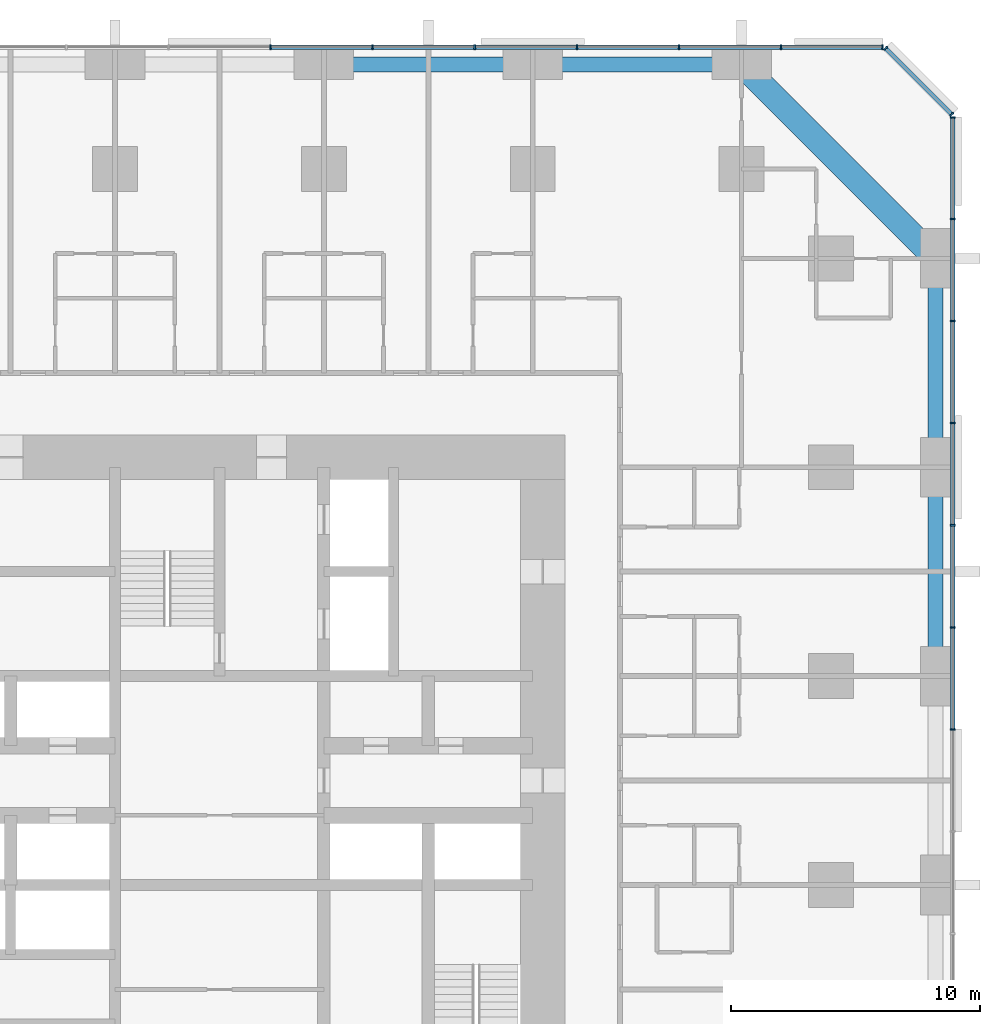
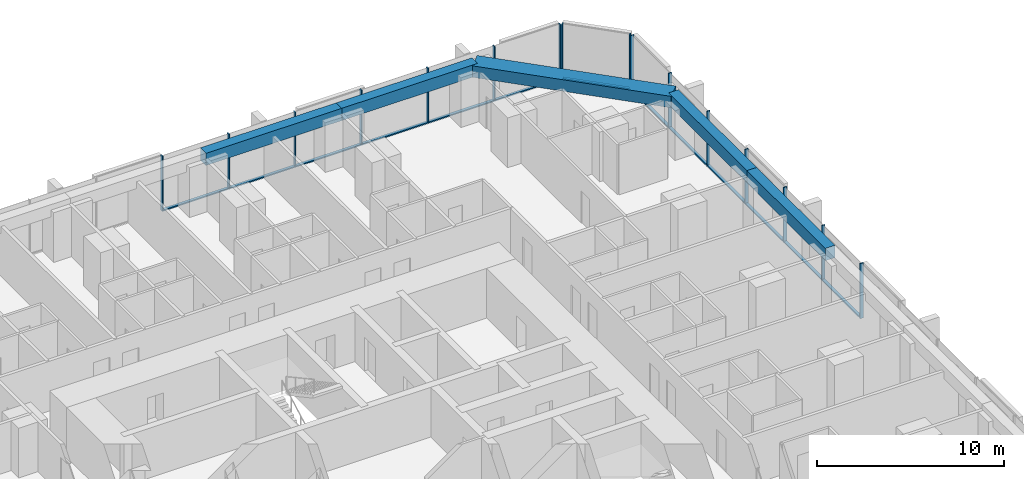
# One storey, part 8 of 18: 29 members, 5 beams, 3 elements without a shape of their own.
"""IFC4 building model written with IfcOpenShell, lengths in metres."""

from ifc_helpers import new_model, si_unit, direction, frame, origin, origin_2d, place, context, subcontext, project, spatial, rectangle, extrude, material, material_profile, profile_set, type_object, element, aggregate, save


model = new_model("IFC4")

# Units and contexts
model_context = context("Model", 3, precision=1e-05, world=origin(), true_north=direction((0.0, 1.0)))
body_context = subcontext(model_context, "Body", "Model", "MODEL_VIEW")
ifc_project = project(units=[si_unit("LENGTHUNIT", "METRE"), si_unit("AREAUNIT", "SQUARE_METRE"), si_unit("VOLUMEUNIT", "CUBIC_METRE"), si_unit("PLANEANGLEUNIT", "RADIAN"), si_unit("MASSUNIT", "GRAM", prefix="KILO")], contexts=[model_context])

# Site, building, storey
site_placement = place(None, origin())
site = spatial("IfcSite", under=ifc_project, at=site_placement, CompositionType="ELEMENT")
building_placement = place(site_placement, origin())
building = spatial("IfcBuilding", under=site, at=building_placement, Name="Dunama Terrace Hotel", CompositionType="ELEMENT")
storey_placement = place(building_placement, frame((0.0, 0.0, 30.60009765625)))
storey = spatial("IfcBuildingStorey", under=building, at=storey_placement, Name="L06", CompositionType="ELEMENT", Elevation=30.60009765625)

# Curtain wall, members
ifc_material_1 = material(Name="Aluminium curtain wall system", Category="aluminium")
curtain_wall_type = type_object("IfcCurtainWallType", Name="Unitised fritted glass wall CW-A", PredefinedType="NOTDEFINED", material=ifc_material_1)
curtain_wall_1_placement = place(storey_placement, origin())
curtain_wall_1 = element("IfcCurtainWall", 1, at=curtain_wall_1_placement, inside=storey, type_object=curtain_wall_type, Name="Unitised fritted glass wall CW-A L06", PredefinedType="NOTDEFINED")
ifc_material_2 = material(Name="Aluminium mullion", Category="aluminium")
ifc_material_profile_1 = material_profile(ifc_material_2, rectangle(XDim=0.06494140625, YDim=0.199951171875, at=origin_2d()), Name="CWA MULLION 65X200")
ifc_profile_set_1 = profile_set([ifc_material_profile_1], Name="Aluminium mullion")
member_type_1 = type_object("IfcMemberType", Name="CWA mullion 65x200", PredefinedType="MULLION", material=ifc_profile_set_1)
member_1_placement = place(storey_placement, frame((58.89990234375, 31.4541015625, 0.0), z_axis=(0.0, 0.0, 1.0), x_axis=(0.0, 1.0, 0.0)))
member_1 = element("IfcMember", 2, at=member_1_placement, type_object=member_type_1, Name="CWA mullion", PredefinedType="MULLION", context=body_context, shape_type="SweptSolid", body=[
    extrude(rectangle(XDim=0.06494140625, YDim=0.199951171875, at=origin_2d()), origin(), (0.0, 0.0, 1.0), 3.599853515625),
])
member_2_placement = place(storey_placement, frame((58.89990234375, 35.56201171875, 0.0), z_axis=(0.0, 0.0, 1.0), x_axis=(0.0, 1.0, 0.0)))
member_2 = element("IfcMember", 3, at=member_2_placement, type_object=member_type_1, Name="CWA mullion", PredefinedType="MULLION", context=body_context, shape_type="SweptSolid", body=[
    extrude(rectangle(XDim=0.06494140625, YDim=0.199951171875, at=origin_2d()), origin(), (0.0, 0.0, 1.0), 3.599853515625),
])
member_3_placement = place(storey_placement, frame((58.89990234375, 39.6689453125, 0.0), z_axis=(0.0, 0.0, 1.0), x_axis=(0.0, 1.0, 0.0)))
member_3 = element("IfcMember", 4, at=member_3_placement, type_object=member_type_1, Name="CWA mullion", PredefinedType="MULLION", context=body_context, shape_type="SweptSolid", body=[
    extrude(rectangle(XDim=0.06494140625, YDim=0.199951171875, at=origin_2d()), origin(), (0.0, 0.0, 1.0), 3.599853515625),
])
member_4_placement = place(storey_placement, frame((58.89990234375, 43.777099609375, 0.0), z_axis=(0.0, 0.0, 1.0), x_axis=(0.0, 1.0, 0.0)))
member_4 = element("IfcMember", 5, at=member_4_placement, type_object=member_type_1, Name="CWA mullion", PredefinedType="MULLION", context=body_context, shape_type="SweptSolid", body=[
    extrude(rectangle(XDim=0.06494140625, YDim=0.199951171875, at=origin_2d()), origin(), (0.0, 0.0, 1.0), 3.599853515625),
])
member_5_placement = place(storey_placement, frame((58.89990234375, 47.885009765625, 0.0), z_axis=(0.0, 0.0, 1.0), x_axis=(0.0, 1.0, 0.0)))
member_5 = element("IfcMember", 6, at=member_5_placement, type_object=member_type_1, Name="CWA mullion", PredefinedType="MULLION", context=body_context, shape_type="SweptSolid", body=[
    extrude(rectangle(XDim=0.06494140625, YDim=0.199951171875, at=origin_2d()), origin(), (0.0, 0.0, 1.0), 3.599853515625),
])
member_6_placement = place(storey_placement, frame((58.89990234375, 51.991943359375, 0.0), z_axis=(0.0, 0.0, 1.0), x_axis=(0.0, 1.0, 0.0)))
member_6 = element("IfcMember", 7, at=member_6_placement, type_object=member_type_1, Name="CWA mullion", PredefinedType="MULLION", context=body_context, shape_type="SweptSolid", body=[
    extrude(rectangle(XDim=0.06494140625, YDim=0.199951171875, at=origin_2d()), origin(), (0.0, 0.0, 1.0), 3.599853515625),
])
member_7_placement = place(storey_placement, frame((58.89990234375, 56.06689453125, 0.0), z_axis=(0.0, 0.0, 1.0), x_axis=(0.0, 1.0, 0.0)))
member_7 = element("IfcMember", 8, at=member_7_placement, type_object=member_type_1, Name="CWA mullion", PredefinedType="MULLION", context=body_context, shape_type="SweptSolid", body=[
    extrude(rectangle(XDim=0.06494140625, YDim=0.199951171875, at=origin_2d()), origin(), (0.0, 0.0, 1.0), 3.599853515625),
])

curtain_wall_2_placement = place(storey_placement, origin())
curtain_wall_2 = element("IfcCurtainWall", 9, at=curtain_wall_2_placement, inside=storey, type_object=curtain_wall_type, Name="Unitised fritted glass wall CW-A L06", PredefinedType="NOTDEFINED")
member_8_placement = place(storey_placement, frame((58.847900390625, 56.194091796875, 0.0), z_axis=(0.0, 0.0, 1.0), x_axis=(-0.707106781187, 0.707106781187, 0.0)))
member_8 = element("IfcMember", 10, at=member_8_placement, type_object=member_type_1, Name="CWA mullion", PredefinedType="MULLION", context=body_context, shape_type="SweptSolid", body=[
    extrude(rectangle(XDim=0.06494140625, YDim=0.199951171875, at=origin_2d()), origin(), (0.0, 0.0, 1.0), 3.599853515625),
])
member_9_placement = place(storey_placement, frame((56.194091796875, 58.847900390625, 0.0), z_axis=(0.0, 0.0, 1.0), x_axis=(-0.707106781187, 0.707106781187, 0.0)))
member_9 = element("IfcMember", 11, at=member_9_placement, type_object=member_type_1, Name="CWA mullion", PredefinedType="MULLION", context=body_context, shape_type="SweptSolid", body=[
    extrude(rectangle(XDim=0.06494140625, YDim=0.199951171875, at=origin_2d()), origin(), (0.0, 0.0, 1.0), 3.599853515625),
])

curtain_wall_3_placement = place(storey_placement, origin())
curtain_wall_3 = element("IfcCurtainWall", 12, at=curtain_wall_3_placement, inside=storey, type_object=curtain_wall_type, Name="Unitised fritted glass wall CW-A L06", PredefinedType="NOTDEFINED")
member_10_placement = place(storey_placement, frame((56.06689453125, 58.89990234375, 0.0), z_axis=(0.0, 0.0, 1.0), x_axis=(-1.0, 0.0, 0.0)))
member_10 = element("IfcMember", 13, at=member_10_placement, type_object=member_type_1, Name="CWA mullion", PredefinedType="MULLION", context=body_context, shape_type="SweptSolid", body=[
    extrude(rectangle(XDim=0.06494140625, YDim=0.199951171875, at=origin_2d()), origin(), (0.0, 0.0, 1.0), 3.599853515625),
])
member_11_placement = place(storey_placement, frame((51.991943359375, 58.89990234375, 0.0), z_axis=(0.0, 0.0, 1.0), x_axis=(-1.0, 0.0, 0.0)))
member_11 = element("IfcMember", 14, at=member_11_placement, type_object=member_type_1, Name="CWA mullion", PredefinedType="MULLION", context=body_context, shape_type="SweptSolid", body=[
    extrude(rectangle(XDim=0.06494140625, YDim=0.199951171875, at=origin_2d()), origin(), (0.0, 0.0, 1.0), 3.599853515625),
])
member_12_placement = place(storey_placement, frame((47.885009765625, 58.89990234375, 0.0), z_axis=(0.0, 0.0, 1.0), x_axis=(-1.0, 0.0, 0.0)))
member_12 = element("IfcMember", 15, at=member_12_placement, type_object=member_type_1, Name="CWA mullion", PredefinedType="MULLION", context=body_context, shape_type="SweptSolid", body=[
    extrude(rectangle(XDim=0.06494140625, YDim=0.199951171875, at=origin_2d()), origin(), (0.0, 0.0, 1.0), 3.599853515625),
])
member_13_placement = place(storey_placement, frame((43.777099609375, 58.89990234375, 0.0), z_axis=(0.0, 0.0, 1.0), x_axis=(-1.0, 0.0, 0.0)))
member_13 = element("IfcMember", 16, at=member_13_placement, type_object=member_type_1, Name="CWA mullion", PredefinedType="MULLION", context=body_context, shape_type="SweptSolid", body=[
    extrude(rectangle(XDim=0.06494140625, YDim=0.199951171875, at=origin_2d()), origin(), (0.0, 0.0, 1.0), 3.599853515625),
])
member_14_placement = place(storey_placement, frame((39.6689453125, 58.89990234375, 0.0), z_axis=(0.0, 0.0, 1.0), x_axis=(-1.0, 0.0, 0.0)))
member_14 = element("IfcMember", 17, at=member_14_placement, type_object=member_type_1, Name="CWA mullion", PredefinedType="MULLION", context=body_context, shape_type="SweptSolid", body=[
    extrude(rectangle(XDim=0.06494140625, YDim=0.199951171875, at=origin_2d()), origin(), (0.0, 0.0, 1.0), 3.599853515625),
])
member_15_placement = place(storey_placement, frame((35.56201171875, 58.89990234375, 0.0), z_axis=(0.0, 0.0, 1.0), x_axis=(-1.0, 0.0, 0.0)))
member_15 = element("IfcMember", 18, at=member_15_placement, type_object=member_type_1, Name="CWA mullion", PredefinedType="MULLION", context=body_context, shape_type="SweptSolid", body=[
    extrude(rectangle(XDim=0.06494140625, YDim=0.199951171875, at=origin_2d()), origin(), (0.0, 0.0, 1.0), 3.599853515625),
])
member_16_placement = place(storey_placement, frame((31.4541015625, 58.89990234375, 0.0), z_axis=(0.0, 0.0, 1.0), x_axis=(-1.0, 0.0, 0.0)))
member_16 = element("IfcMember", 19, at=member_16_placement, type_object=member_type_1, Name="CWA mullion", PredefinedType="MULLION", context=body_context, shape_type="SweptSolid", body=[
    extrude(rectangle(XDim=0.06494140625, YDim=0.199951171875, at=origin_2d()), origin(), (0.0, 0.0, 1.0), 3.599853515625),
])

# Member
ifc_material_3 = material(Name="Aluminium transom", Category="aluminium")
ifc_material_profile_2 = material_profile(ifc_material_3, rectangle(XDim=0.179931640625, YDim=0.074951171875, at=origin_2d()), Name="CWA TRANSOM 180X75")
ifc_profile_set_2 = profile_set([ifc_material_profile_2], Name="Aluminium transom")
member_type_2 = type_object("IfcMemberType", Name="CWA transom 180x75", PredefinedType="USERDEFINED", material=ifc_profile_set_2)
member_17_placement = place(storey_placement, frame((58.89990234375, 31.486083984375, 0.037353515625), z_axis=(0.0, 1.0, 0.0), x_axis=(-1.0, 0.0, 0.0)))
member_17 = element("IfcMember", 20, at=member_17_placement, type_object=member_type_2, Name="CWA transom", ObjectType="TRANSOM", PredefinedType="USERDEFINED", context=body_context, shape_type="SweptSolid", body=[
    extrude(rectangle(XDim=0.179931640625, YDim=0.074951171875, at=origin_2d()), origin(), (0.0, 0.0, 1.0), 4.04296875),
])

member_18_placement = place(storey_placement, frame((58.89990234375, 35.593994140625, 0.037353515625), z_axis=(0.0, 1.0, 0.0), x_axis=(-1.0, 0.0, 0.0)))
member_18 = element("IfcMember", 21, at=member_18_placement, type_object=member_type_2, Name="CWA transom", ObjectType="TRANSOM", PredefinedType="USERDEFINED", context=body_context, shape_type="SweptSolid", body=[
    extrude(rectangle(XDim=0.179931640625, YDim=0.074951171875, at=origin_2d()), origin(), (0.0, 0.0, 1.0), 4.04296875),
])

member_19_placement = place(storey_placement, frame((58.89990234375, 39.701904296875, 0.037353515625), z_axis=(0.0, 1.0, 0.0), x_axis=(-1.0, 0.0, 0.0)))
member_19 = element("IfcMember", 22, at=member_19_placement, type_object=member_type_2, Name="CWA transom", ObjectType="TRANSOM", PredefinedType="USERDEFINED", context=body_context, shape_type="SweptSolid", body=[
    extrude(rectangle(XDim=0.179931640625, YDim=0.074951171875, at=origin_2d()), origin(), (0.0, 0.0, 1.0), 4.0419921875),
])

member_20_placement = place(storey_placement, frame((58.89990234375, 43.80908203125, 0.037353515625), z_axis=(0.0, 1.0, 0.0), x_axis=(-1.0, 0.0, 0.0)))
member_20 = element("IfcMember", 23, at=member_20_placement, type_object=member_type_2, Name="CWA transom", ObjectType="TRANSOM", PredefinedType="USERDEFINED", context=body_context, shape_type="SweptSolid", body=[
    extrude(rectangle(XDim=0.179931640625, YDim=0.074951171875, at=origin_2d()), origin(), (0.0, 0.0, 1.0), 4.04296875),
])

member_21_placement = place(storey_placement, frame((58.89990234375, 47.9169921875, 0.037353515625), z_axis=(0.0, 1.0, 0.0), x_axis=(-1.0, 0.0, 0.0)))
member_21 = element("IfcMember", 24, at=member_21_placement, type_object=member_type_2, Name="CWA transom", ObjectType="TRANSOM", PredefinedType="USERDEFINED", context=body_context, shape_type="SweptSolid", body=[
    extrude(rectangle(XDim=0.179931640625, YDim=0.074951171875, at=origin_2d()), origin(), (0.0, 0.0, 1.0), 4.04296875),
])

member_22_placement = place(storey_placement, frame((58.89990234375, 52.02490234375, 0.037353515625), z_axis=(0.0, 1.0, 0.0), x_axis=(-1.0, 0.0, 0.0)))
member_22 = element("IfcMember", 25, at=member_22_placement, type_object=member_type_2, Name="CWA transom", ObjectType="TRANSOM", PredefinedType="USERDEFINED", context=body_context, shape_type="SweptSolid", body=[
    extrude(rectangle(XDim=0.179931640625, YDim=0.074951171875, at=origin_2d()), origin(), (0.0, 0.0, 1.0), 4.010009765625),
])

aggregate(curtain_wall_1, [member_1, member_2, member_3, member_4, member_5, member_6, member_7, member_17, member_18, member_19, member_20, member_21, member_22])

member_23_placement = place(storey_placement, frame((58.824951171875, 56.217041015625, 0.037353515625), z_axis=(-0.707106781187, 0.707106781187, 0.0), x_axis=(-0.707106781187, -0.707106781187, 0.0)))
member_23 = element("IfcMember", 26, at=member_23_placement, type_object=member_type_2, Name="CWA transom", ObjectType="TRANSOM", PredefinedType="USERDEFINED", context=body_context, shape_type="SweptSolid", body=[
    extrude(rectangle(XDim=0.179931640625, YDim=0.074951171875, at=origin_2d()), origin(), (0.0, 0.0, 1.0), 3.688232421875),
])

aggregate(curtain_wall_2, [member_8, member_9, member_23])

member_24_placement = place(storey_placement, frame((56.034912109375, 58.89990234375, 0.037353515625), z_axis=(-1.0, 0.0, 0.0), x_axis=(0.0, -1.0, 0.0)))
member_24 = element("IfcMember", 27, at=member_24_placement, type_object=member_type_2, Name="CWA transom", ObjectType="TRANSOM", PredefinedType="USERDEFINED", context=body_context, shape_type="SweptSolid", body=[
    extrude(rectangle(XDim=0.179931640625, YDim=0.074951171875, at=origin_2d()), origin(), (0.0, 0.0, 1.0), 4.010009765625),
])

member_25_placement = place(storey_placement, frame((51.9599609375, 58.89990234375, 0.037353515625), z_axis=(-1.0, 0.0, 0.0), x_axis=(0.0, -1.0, 0.0)))
member_25 = element("IfcMember", 28, at=member_25_placement, type_object=member_type_2, Name="CWA transom", ObjectType="TRANSOM", PredefinedType="USERDEFINED", context=body_context, shape_type="SweptSolid", body=[
    extrude(rectangle(XDim=0.179931640625, YDim=0.074951171875, at=origin_2d()), origin(), (0.0, 0.0, 1.0), 4.04296875),
])

member_26_placement = place(storey_placement, frame((47.85205078125, 58.89990234375, 0.037353515625), z_axis=(-1.0, 0.0, 0.0), x_axis=(0.0, -1.0, 0.0)))
member_26 = element("IfcMember", 29, at=member_26_placement, type_object=member_type_2, Name="CWA transom", ObjectType="TRANSOM", PredefinedType="USERDEFINED", context=body_context, shape_type="SweptSolid", body=[
    extrude(rectangle(XDim=0.179931640625, YDim=0.074951171875, at=origin_2d()), origin(), (0.0, 0.0, 1.0), 4.04296875),
])

member_27_placement = place(storey_placement, frame((43.743896484375, 58.89990234375, 0.037353515625), z_axis=(-1.0, 0.0, 0.0), x_axis=(0.0, -1.0, 0.0)))
member_27 = element("IfcMember", 30, at=member_27_placement, type_object=member_type_2, Name="CWA transom", ObjectType="TRANSOM", PredefinedType="USERDEFINED", context=body_context, shape_type="SweptSolid", body=[
    extrude(rectangle(XDim=0.179931640625, YDim=0.074951171875, at=origin_2d()), origin(), (0.0, 0.0, 1.0), 4.0419921875),
])

member_28_placement = place(storey_placement, frame((39.636962890625, 58.89990234375, 0.037353515625), z_axis=(-1.0, 0.0, 0.0), x_axis=(0.0, -1.0, 0.0)))
member_28 = element("IfcMember", 31, at=member_28_placement, type_object=member_type_2, Name="CWA transom", ObjectType="TRANSOM", PredefinedType="USERDEFINED", context=body_context, shape_type="SweptSolid", body=[
    extrude(rectangle(XDim=0.179931640625, YDim=0.074951171875, at=origin_2d()), origin(), (0.0, 0.0, 1.0), 4.04296875),
])

member_29_placement = place(storey_placement, frame((35.529052734375, 58.89990234375, 0.037353515625), z_axis=(-1.0, 0.0, 0.0), x_axis=(0.0, -1.0, 0.0)))
member_29 = element("IfcMember", 32, at=member_29_placement, type_object=member_type_2, Name="CWA transom", ObjectType="TRANSOM", PredefinedType="USERDEFINED", context=body_context, shape_type="SweptSolid", body=[
    extrude(rectangle(XDim=0.179931640625, YDim=0.074951171875, at=origin_2d()), origin(), (0.0, 0.0, 1.0), 4.04296875),
])

aggregate(curtain_wall_3, [member_10, member_11, member_12, member_13, member_14, member_15, member_16, member_24, member_25, member_26, member_27, member_28, member_29])

# Beams
ifc_material_4 = material(Name="Concrete C50/60", Category="concrete")
ifc_material_profile_3 = material_profile(ifc_material_4, rectangle(XDim=1.0, YDim=0.75, at=origin_2d()), Name="RC 1000x750")
ifc_profile_set_3 = profile_set([ifc_material_profile_3], Name="Concrete C50/60")
beam_type_1 = type_object("IfcBeamType", Name="Edge beam RC 1000x750", PredefinedType="SPANDREL", material=ifc_profile_set_3)
beam_placement = place(storey_placement, frame((50.39990234375, 58.199951171875, 3.224853515625), z_axis=(0.707106781187, -0.707106781187, 0.0), x_axis=(0.707106781187, 0.707106781187, 0.0)))
element("IfcBeam", 33, at=beam_placement, inside=storey, type_object=beam_type_1, Name="Corner edge beam under L07", PredefinedType="SPANDREL", context=body_context, shape_type="SweptSolid", body=[
    extrude(rectangle(XDim=1.0, YDim=0.75, at=origin_2d()), origin(), (0.0, 0.0, 1.0), 11.031005859375),
])
ifc_material_5 = material(Name="Concrete C40/50", Category="concrete")
ifc_material_profile_4 = material_profile(ifc_material_5, rectangle(XDim=0.60009765625, YDim=0.800048828125, at=origin_2d()), Name="RC 600x800")
ifc_profile_set_4 = profile_set([ifc_material_profile_4], Name="Concrete C40/50")
beam_type_2 = type_object("IfcBeamType", Name="Edge beam RC 600x800", PredefinedType="SPANDREL", material=ifc_profile_set_4)
for number, where, z_axis, x_axis, name in (
    (34, (58.199951171875, 33.60009765625, 3.199951171875), (0.0, 1.0, 0.0), (-1.0, 0.0, 0.0), "Edge beam under L07"),
    (35, (58.199951171875, 42.0, 3.199951171875), (0.0, 1.0, 0.0), (-1.0, 0.0, 0.0), "Edge beam under L07"),
    (36, (33.60009765625, 58.199951171875, 3.199951171875), (1.0, 0.0, 0.0), (0.0, 1.0, 0.0), "Edge beam under L07"),
    (37, (42.0, 58.199951171875, 3.199951171875), (1.0, 0.0, 0.0), (0.0, 1.0, 0.0), "Edge beam under L07"),
):
    element("IfcBeam", number, at=place(storey_placement, frame(where, z_axis=z_axis, x_axis=x_axis)), inside=storey, type_object=beam_type_2, Name=name, PredefinedType="SPANDREL", context=body_context, shape_type="SweptSolid", body=[
        extrude(rectangle(XDim=0.60009765625, YDim=0.800048828125, at=origin_2d()), origin(), (0.0, 0.0, 1.0), 8.39990234375),
    ])

save(model, "model.ifc")
